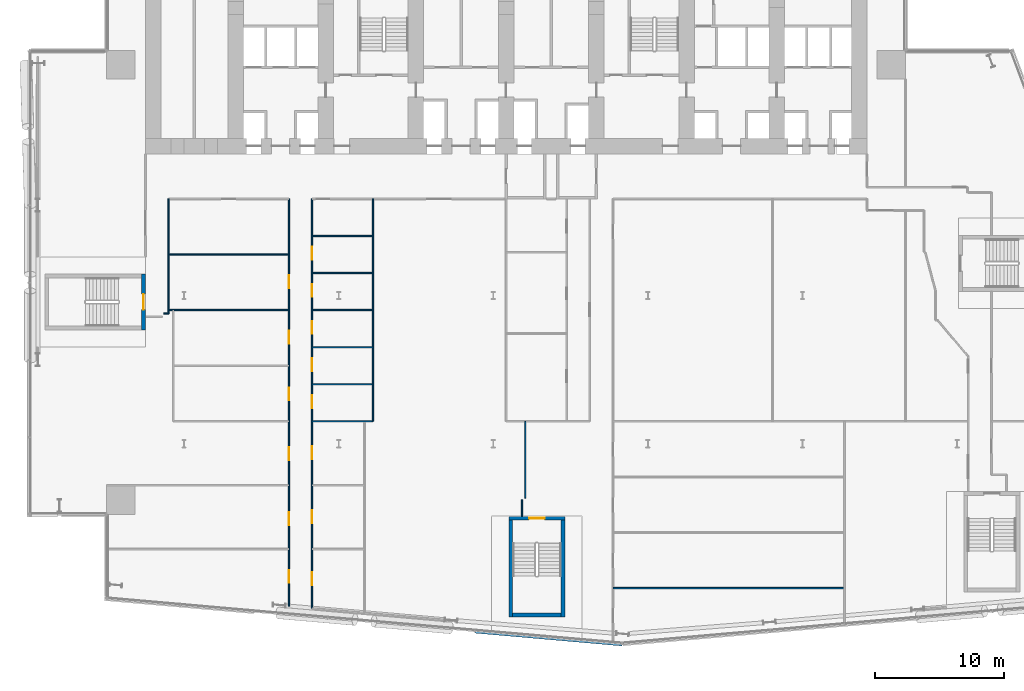
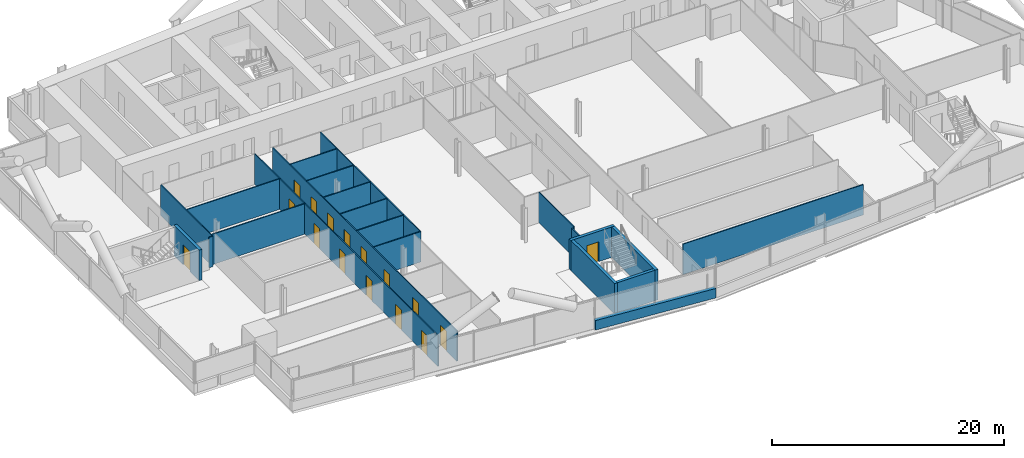
# One storey, part 13 of 27: 23 walls, 16 doors, 16 openings.
"""IFC4 building model written with IfcOpenShell, lengths in metres."""

import ifcopenshell
import ifcopenshell.guid

model = None  # the IFC model being written
_history = None  # IfcOwnerHistory: only IFC2X3 demands one
_inside = {}  # id of a spatial element -> (the spatial element, [elements in it])
_under = {}  # id of a project, library or spatial element -> (it, [spatial elements below it])
_declared = {}  # id of a project -> (the project, [libraries it declares])
_typed = {}  # id of a type object -> (the type object, [elements of that type])
_made_of = {}  # id of a material, layer set ... -> (it, [elements and type objects made of it])


def new_model(schema):
    """Start an empty IFC model of exactly this schema.

    Asked for "IFC4X3", IfcOpenShell would pick the latest addendum, in which some entities
    have other attributes; the version numbers below select the first issue.
    IFC2X3 requires an IfcOwnerHistory on every rooted entity: one is made here for all.
    """
    global model, _history
    if schema == "IFC4X3":
        model = ifcopenshell.file(schema_version=(4, 3, 0, 0))
    else:
        model = ifcopenshell.file(schema=schema)
    _inside.clear()
    _under.clear()
    _declared.clear()
    _typed.clear()
    _made_of.clear()
    _history = None
    if model.schema == "IFC2X3":
        org = make("IfcOrganization", Name="unknown")
        user = make(
            "IfcPersonAndOrganization",
            ThePerson=make("IfcPerson", FamilyName="unknown"),
            TheOrganization=org,
        )
        app = make(
            "IfcApplication",
            ApplicationDeveloper=org,
            Version="unknown",
            ApplicationFullName="unknown",
            ApplicationIdentifier="unknown",
        )
        _history = make(
            "IfcOwnerHistory",
            OwningUser=user,
            OwningApplication=app,
            ChangeAction="ADDED",
            CreationDate=0,
        )
    return model


def make(cls, **values):
    """One entity of the class cls with the attributes given. An attribute that is None is left unset."""
    return model.create_entity(
        cls, **{name: value for name, value in values.items() if value is not None}
    )


def rooted(cls, **values):
    """An entity with a GlobalId (a new one), such as an element, a storey or a relation."""
    return make(cls, GlobalId=ifcopenshell.guid.new(), OwnerHistory=_history, **values)


def si_unit(unit_type, name, prefix=None):
    """IfcSIUnit, for example si_unit("LENGTHUNIT", "METRE", prefix="MILLI")."""
    return make("IfcSIUnit", UnitType=unit_type, Prefix=prefix, Name=name)


def assignment(units):
    """IfcUnitAssignment: the units of a project."""
    return None if units is None else make("IfcUnitAssignment", Units=units)


def point(xyz):
    """IfcCartesianPoint."""
    return None if xyz is None else make("IfcCartesianPoint", Coordinates=xyz)


def direction(xyz):
    """IfcDirection."""
    return None if xyz is None else make("IfcDirection", DirectionRatios=xyz)


def frame(location, z_axis=None, x_axis=None):
    """IfcAxis2Placement3D, a coordinate frame: its origin and axes. An axis left out is left unset."""
    return make(
        "IfcAxis2Placement3D",
        Location=point(location),
        Axis=direction(z_axis),
        RefDirection=direction(x_axis),
    )


def frame_2d(location, x_axis=None):
    """IfcAxis2Placement2D, a coordinate frame in the plane: its origin and x axis."""
    return make(
        "IfcAxis2Placement2D", Location=point(location), RefDirection=direction(x_axis)
    )


def origin():
    """The frame at (0, 0, 0) with its axes left unset."""
    return frame((0.0, 0.0, 0.0))


def place(relative_to, where):
    """IfcLocalPlacement: puts the frame where relative to a parent placement (None: the world)."""
    return make(
        "IfcLocalPlacement", PlacementRelTo=relative_to, RelativePlacement=where
    )


def context(
    kind, dimensions, precision=None, world=None, true_north=None, identifier=None
):
    """IfcGeometricRepresentationContext, for example the 3D "Model" context."""
    return make(
        "IfcGeometricRepresentationContext",
        ContextIdentifier=identifier,
        ContextType=kind,
        CoordinateSpaceDimension=dimensions,
        Precision=precision,
        WorldCoordinateSystem=world,
        TrueNorth=true_north,
    )


def subcontext(parent, identifier, kind, view, scale=None):
    """IfcGeometricRepresentationSubContext, for example "Body" below "Model"."""
    return make(
        "IfcGeometricRepresentationSubContext",
        ContextIdentifier=identifier,
        ContextType=kind,
        ParentContext=parent,
        TargetScale=scale,
        TargetView=view,
    )


def project(units=None, contexts=None):
    """IfcProject with its units and contexts."""
    return rooted(
        "IfcProject",
        Name="project",
        RepresentationContexts=contexts,
        UnitsInContext=assignment(units),
    )


def spatial(cls, under=None, at=None, **own):
    """A site, building, storey or space (cls), placed at a placement, below another one or the project."""
    s = rooted(cls, ObjectPlacement=at, **own)
    if under is not None:
        _under.setdefault(under.id(), (under, []))[1].append(s)
    return s


def profile(cls, at=None, kind="AREA", **sizes):
    """A parametric profile (cls). Its sizes go by their IFC names, for example OverallWidth=200.0."""
    return make(cls, ProfileType=kind, Position=at, **sizes)


def rectangle(**sizes):
    """IfcRectangleProfileDef."""
    return profile("IfcRectangleProfileDef", **sizes)


def extrude(swept, where, along, depth):
    """IfcExtrudedAreaSolid: the profile swept, set in the frame where, extruded along a direction by depth."""
    return make(
        "IfcExtrudedAreaSolid",
        SweptArea=swept,
        Position=where,
        ExtrudedDirection=direction(along),
        Depth=depth,
    )


def shape(context_of_items, identifier, shape_type, items):
    """IfcShapeRepresentation: the items that make up one representation, for example the "Body"."""
    return make(
        "IfcShapeRepresentation",
        ContextOfItems=context_of_items,
        RepresentationIdentifier=identifier,
        RepresentationType=shape_type,
        Items=items,
    )


def material(Name=None, Category=None):
    """IfcMaterial."""
    return make("IfcMaterial", Name=Name, Category=Category)


def layer(
    of_material, thickness, ventilated=None, Name=None, Category=None, Priority=None
):
    """IfcMaterialLayer: one layer of a wall or slab, of a material (None: an air gap)."""
    return make(
        "IfcMaterialLayer",
        Material=of_material,
        LayerThickness=thickness,
        IsVentilated=ventilated,
        Name=Name,
        Category=Category,
        Priority=Priority,
    )


def layer_set(layers, Name=None):
    """IfcMaterialLayerSet."""
    return make("IfcMaterialLayerSet", MaterialLayers=layers, LayerSetName=Name)


def made_of(thing, what):
    """Note that an element or type object is made of a material, layer set ...; save() writes the relation."""
    if what is not None:
        _made_of.setdefault(what.id(), (what, []))[1].append(thing)
    return thing


def type_object(cls, material=None, **own):
    """A type object (cls), such as IfcWallType, which elements share."""
    return made_of(rooted(cls, **own), material)


def element(
    cls,
    number,
    at=None,
    inside=None,
    cuts=None,
    type_object=None,
    material=None,
    context=None,
    identifier="Body",
    shape_type=None,
    held_by="IfcProductDefinitionShape",
    body=None,
    shapes=None,
    **own,
):
    """One element of the class cls, such as IfcWall. Its Tag is "e" and its number.

    at: its placement. inside: the storey or other place that contains it. cuts: it is an
    opening in that element (IfcRelVoidsElement). A single representation is given by context,
    identifier, shape_type and body (its items); several are given by shapes. held_by: the class
    of the entity that holds the representations. save() writes the other relations.
    """
    e = rooted(cls, Tag="e%d" % number, ObjectPlacement=at, **own)
    if body is not None:
        shapes = [shape(context, identifier, shape_type, body)]
    if shapes is not None:
        e.Representation = make(held_by, Representations=shapes)
    if inside is not None:
        _inside.setdefault(inside.id(), (inside, []))[1].append(e)
    if cuts is not None:
        rooted(
            "IfcRelVoidsElement", RelatingBuildingElement=cuts, RelatedOpeningElement=e
        )
    if type_object is not None:
        _typed.setdefault(type_object.id(), (type_object, []))[1].append(e)
    return made_of(e, material)


def fill(opening, filler):
    """IfcRelFillsElement: the door or window that sits in an opening."""
    return rooted(
        "IfcRelFillsElement",
        RelatingOpeningElement=opening,
        RelatedBuildingElement=filler,
    )


def aggregate(whole, parts):
    """IfcRelAggregates: a whole, such as a stair, and the parts it consists of."""
    return rooted("IfcRelAggregates", RelatingObject=whole, RelatedObjects=parts)


def save(model, path):
    """Write the relations noted so far, then the file.

    IfcRelAggregates (storeys below a building ...), IfcRelContainedInSpatialStructure (elements
    in a storey), IfcRelDefinesByType, IfcRelAssociatesMaterial and IfcRelDeclares: one each for
    every whole, place, type object, material and project.
    """
    for whole, parts in _under.values():
        aggregate(whole, parts)
    for where, things in _inside.values():
        rooted(
            "IfcRelContainedInSpatialStructure",
            RelatedElements=things,
            RelatingStructure=where,
        )
    for kind, things in _typed.values():
        rooted("IfcRelDefinesByType", RelatedObjects=things, RelatingType=kind)
    for what, things in _made_of.values():
        rooted("IfcRelAssociatesMaterial", RelatedObjects=things, RelatingMaterial=what)
    for by, libraries in _declared.values():
        rooted("IfcRelDeclares", RelatingContext=by, RelatedDefinitions=libraries)
    model.write(path)


model = new_model("IFC4")

# Units and contexts
model_context = context("Model", 3, precision=1e-05, world=origin(), true_north=direction((0.0, 1.0)))
body_context = subcontext(model_context, "Body", "Model", "MODEL_VIEW")
ifc_project = project(units=[si_unit("LENGTHUNIT", "METRE"), si_unit("AREAUNIT", "SQUARE_METRE"), si_unit("VOLUMEUNIT", "CUBIC_METRE"), si_unit("PLANEANGLEUNIT", "RADIAN"), si_unit("MASSUNIT", "GRAM", prefix="KILO")], contexts=[model_context])

# Site, building, storey
site_placement = place(None, origin())
site = spatial("IfcSite", under=ifc_project, at=site_placement, CompositionType="ELEMENT")
building_placement = place(site_placement, origin())
building = spatial("IfcBuilding", under=site, at=building_placement, Name="Wharfspan Tower", CompositionType="ELEMENT")
storey_placement = place(building_placement, frame((0.0, 0.0, 81.100098)))
storey = spatial("IfcBuildingStorey", under=building, at=storey_placement, Name="L17", CompositionType="ELEMENT", Elevation=81.100098)

# Walls
ifc_material_1 = material(Name="Gypsum board on steel studs", Category="steel")
ifc_layer_1 = layer(ifc_material_1, 0.100098)
ifc_layer_set_1 = layer_set([ifc_layer_1], Name="Gypsum board on steel studs")
wall_type_1 = type_object("IfcWallType", Name="Compartment wall 100 EI 60", PredefinedType="PARTITIONING", material=ifc_layer_set_1)
wall_1_placement = place(storey_placement, frame((10.419922, 21.600098, 0.0), z_axis=(0.0, 0.0, 1.0), x_axis=(1.0, 0.0, 0.0)))
element("IfcWall", 1, at=wall_1_placement, inside=storey, type_object=wall_type_1, Name="Partition L17.w008", PredefinedType="PARTITIONING", context=body_context, shape_type="SweptSolid", body=[
    extrude(rectangle(XDim=0.380127, YDim=0.100098, at=frame_2d((0.189941, 0.0))), origin(), (0.0, 0.0, 1.0), 3.199951),
])
wall_2_placement = place(storey_placement, frame((10.800049, 21.600098, 0.0), z_axis=(0.0, 0.0, 1.0), x_axis=(0.0, 1.0, 0.0)))
element("IfcWall", 2, at=wall_2_placement, inside=storey, type_object=wall_type_1, Name="Partition L17.w009", PredefinedType="PARTITIONING", context=body_context, shape_type="SweptSolid", body=[
    extrude(rectangle(XDim=8.899902, YDim=0.100098, at=frame_2d((4.449951, 0.0))), origin(), (0.0, 0.0, 1.0), 3.199951),
])
for number, where, z_axis, x_axis, name in (
    (3, (10.800049, 21.870117, 0.0), (0.0, 0.0, 1.0), (1.0, 0.0, 0.0), "Partition L17.w010"),
    (4, (10.800049, 26.185059, 0.0), (0.0, 0.0, 1.0), (1.0, 0.0, 0.0), "Partition L17.w011"),
):
    element("IfcWall", number, at=place(storey_placement, frame(where, z_axis=z_axis, x_axis=x_axis)), inside=storey, type_object=wall_type_1, Name=name, PredefinedType="PARTITIONING", context=body_context, shape_type="SweptSolid", body=[
        extrude(rectangle(XDim=9.339844, YDim=0.100098, at=frame_2d((4.669922, 0.0))), origin(), (0.0, 0.0, 1.0), 3.199951),
    ])

# Wall, openings, doors
wall_3_placement = place(storey_placement, frame((20.139893, -1.129883, 0.0), z_axis=(0.0, 0.0, 1.0), x_axis=(0.0, 1.0, 0.0)))
wall_3 = element("IfcWall", 5, at=wall_3_placement, inside=storey, type_object=wall_type_1, Name="Partition L17.w016", PredefinedType="PARTITIONING", context=body_context, shape_type="SweptSolid", body=[
    extrude(rectangle(XDim=31.629883, YDim=0.100098, at=frame_2d((15.814941, 0.0))), origin(), (0.0, 0.0, 1.0), 3.199951),
])
opening_1_placement = place(wall_3_placement, frame((1.824951, 0.0, 0.0)))
opening_1 = element("IfcOpeningElement", 6, at=opening_1_placement, cuts=wall_3, Name="Opening A4-03", PredefinedType="OPENING", context=body_context, shape_type="SweptSolid", body=[
    extrude(rectangle(XDim=1.0, YDim=2.100098, at=frame_2d((0.5, 1.050049))), frame((0.0, 0.060059, 0.0), z_axis=(0.0, -1.0, 0.0), x_axis=(1.0, 0.0, 0.0)), (0.0, 0.0, 1.0), 0.120117),
])
opening_2_placement = place(wall_3_placement, frame((6.304932, 0.0, 0.0)))
opening_2 = element("IfcOpeningElement", 7, at=opening_2_placement, cuts=wall_3, Name="Opening A4-05", PredefinedType="OPENING", context=body_context, shape_type="SweptSolid", body=[
    extrude(rectangle(XDim=1.0, YDim=2.100098, at=frame_2d((0.5, 1.050049))), frame((0.0, 0.060059, 0.0), z_axis=(0.0, -1.0, 0.0), x_axis=(1.0, 0.0, 0.0)), (0.0, 0.0, 1.0), 0.120117),
])
opening_3_placement = place(wall_3_placement, frame((11.350098, 0.0, 0.0)))
opening_3 = element("IfcOpeningElement", 8, at=opening_3_placement, cuts=wall_3, Name="Opening A4-09", PredefinedType="OPENING", context=body_context, shape_type="SweptSolid", body=[
    extrude(rectangle(XDim=1.0, YDim=2.100098, at=frame_2d((0.5, 1.050049))), frame((0.0, 0.060059, 0.0), z_axis=(0.0, -1.0, 0.0), x_axis=(1.0, 0.0, 0.0)), (0.0, 0.0, 1.0), 0.120117),
])
opening_4_placement = place(wall_3_placement, frame((15.985107, 0.0, 0.0)))
opening_4 = element("IfcOpeningElement", 9, at=opening_4_placement, cuts=wall_3, Name="Opening A4-14", PredefinedType="OPENING", context=body_context, shape_type="SweptSolid", body=[
    extrude(rectangle(XDim=1.0, YDim=2.100098, at=frame_2d((0.5, 1.050049))), frame((0.0, 0.060059, 0.0), z_axis=(0.0, -1.0, 0.0), x_axis=(1.0, 0.0, 0.0)), (0.0, 0.0, 1.0), 0.120117),
])
opening_5_placement = place(wall_3_placement, frame((20.379883, 0.0, 0.0)))
opening_5 = element("IfcOpeningElement", 10, at=opening_5_placement, cuts=wall_3, Name="Opening A4-19", PredefinedType="OPENING", context=body_context, shape_type="SweptSolid", body=[
    extrude(rectangle(XDim=1.0, YDim=2.100098, at=frame_2d((0.5, 1.050049))), frame((0.0, 0.060059, 0.0), z_axis=(0.0, -1.0, 0.0), x_axis=(1.0, 0.0, 0.0)), (0.0, 0.0, 1.0), 0.120117),
])
opening_6_placement = place(wall_3_placement, frame((24.695068, 0.0, 0.0)))
opening_6 = element("IfcOpeningElement", 11, at=opening_6_placement, cuts=wall_3, Name="Opening A4-24", PredefinedType="OPENING", context=body_context, shape_type="SweptSolid", body=[
    extrude(rectangle(XDim=1.0, YDim=2.100098, at=frame_2d((0.5, 1.050049))), frame((0.0, 0.060059, 0.0), z_axis=(0.0, -1.0, 0.0), x_axis=(1.0, 0.0, 0.0)), (0.0, 0.0, 1.0), 0.120117),
])
ifc_material_2 = material(Name="Fire-rated timber door leaf in steel frame", Category="steel")
door_type_1 = type_object("IfcDoorType", Name="Door 1000 FD30S Left", OperationType="SINGLE_SWING_LEFT", PredefinedType="DOOR", material=ifc_material_2)
door_1_placement = place(opening_1_placement, origin())
door_1 = element("IfcDoor", 12, at=door_1_placement, inside=storey, type_object=door_type_1, Name="Door A4-03", OperationType="SINGLE_SWING_LEFT", OverallHeight=2.100098, OverallWidth=1.0, PredefinedType="DOOR", context=body_context, shape_type="SweptSolid", body=[
    extrude(rectangle(XDim=1.0, YDim=2.100098, at=frame_2d((0.5, 1.050049))), frame((0.0, 0.024902, 0.0), z_axis=(0.0, -1.0, 0.0), x_axis=(1.0, 0.0, 0.0)), (0.0, 0.0, 1.0), 0.050049),
])
fill(opening_1, door_1)
door_2_placement = place(opening_2_placement, origin())
door_2 = element("IfcDoor", 13, at=door_2_placement, inside=storey, type_object=door_type_1, Name="Door A4-05", OperationType="SINGLE_SWING_LEFT", OverallHeight=2.100098, OverallWidth=1.0, PredefinedType="DOOR", context=body_context, shape_type="SweptSolid", body=[
    extrude(rectangle(XDim=1.0, YDim=2.100098, at=frame_2d((0.5, 1.050049))), frame((0.0, 0.024902, 0.0), z_axis=(0.0, -1.0, 0.0), x_axis=(1.0, 0.0, 0.0)), (0.0, 0.0, 1.0), 0.050049),
])
fill(opening_2, door_2)
door_3_placement = place(opening_3_placement, origin())
door_3 = element("IfcDoor", 14, at=door_3_placement, inside=storey, type_object=door_type_1, Name="Door A4-09", OperationType="SINGLE_SWING_LEFT", OverallHeight=2.100098, OverallWidth=1.0, PredefinedType="DOOR", context=body_context, shape_type="SweptSolid", body=[
    extrude(rectangle(XDim=1.0, YDim=2.100098, at=frame_2d((0.5, 1.050049))), frame((0.0, 0.024902, 0.0), z_axis=(0.0, -1.0, 0.0), x_axis=(1.0, 0.0, 0.0)), (0.0, 0.0, 1.0), 0.050049),
])
fill(opening_3, door_3)
door_type_2 = type_object("IfcDoorType", Name="Door 1000 FD30S Right", OperationType="SINGLE_SWING_RIGHT", PredefinedType="DOOR", material=ifc_material_2)
door_4_placement = place(opening_4_placement, origin())
door_4 = element("IfcDoor", 15, at=door_4_placement, inside=storey, type_object=door_type_2, Name="Door A4-14", OperationType="SINGLE_SWING_RIGHT", OverallHeight=2.100098, OverallWidth=1.0, PredefinedType="DOOR", context=body_context, shape_type="SweptSolid", body=[
    extrude(rectangle(XDim=1.0, YDim=2.100098, at=frame_2d((0.5, 1.050049))), frame((0.0, 0.024902, 0.0), z_axis=(0.0, -1.0, 0.0), x_axis=(1.0, 0.0, 0.0)), (0.0, 0.0, 1.0), 0.050049),
])
fill(opening_4, door_4)
door_5_placement = place(opening_5_placement, origin())
door_5 = element("IfcDoor", 16, at=door_5_placement, inside=storey, type_object=door_type_2, Name="Door A4-19", OperationType="SINGLE_SWING_RIGHT", OverallHeight=2.100098, OverallWidth=1.0, PredefinedType="DOOR", context=body_context, shape_type="SweptSolid", body=[
    extrude(rectangle(XDim=1.0, YDim=2.100098, at=frame_2d((0.5, 1.050049))), frame((0.0, 0.024902, 0.0), z_axis=(0.0, -1.0, 0.0), x_axis=(1.0, 0.0, 0.0)), (0.0, 0.0, 1.0), 0.050049),
])
fill(opening_5, door_5)
door_6_placement = place(opening_6_placement, origin())
door_6 = element("IfcDoor", 17, at=door_6_placement, inside=storey, type_object=door_type_2, Name="Door A4-24", OperationType="SINGLE_SWING_RIGHT", OverallHeight=2.100098, OverallWidth=1.0, PredefinedType="DOOR", context=body_context, shape_type="SweptSolid", body=[
    extrude(rectangle(XDim=1.0, YDim=2.100098, at=frame_2d((0.5, 1.050049))), frame((0.0, 0.024902, 0.0), z_axis=(0.0, -1.0, 0.0), x_axis=(1.0, 0.0, 0.0)), (0.0, 0.0, 1.0), 0.050049),
])
fill(opening_6, door_6)

wall_4_placement = place(storey_placement, frame((21.939941, -1.290039, 0.0), z_axis=(0.0, 0.0, 1.0), x_axis=(0.0, 1.0, 0.0)))
wall_4 = element("IfcWall", 18, at=wall_4_placement, inside=storey, type_object=wall_type_1, Name="Partition L17.w017", PredefinedType="PARTITIONING", context=body_context, shape_type="SweptSolid", body=[
    extrude(rectangle(XDim=31.790039, YDim=0.100098, at=frame_2d((15.89502, 0.0))), origin(), (0.0, 0.0, 1.0), 3.199951),
])
opening_7_placement = place(wall_4_placement, frame((1.820068, 0.0, 0.0)))
opening_7 = element("IfcOpeningElement", 19, at=opening_7_placement, cuts=wall_4, Name="Opening A4-02", PredefinedType="OPENING", context=body_context, shape_type="SweptSolid", body=[
    extrude(rectangle(XDim=1.0, YDim=2.100098, at=frame_2d((0.5, 1.050049))), frame((0.0, 0.060059, 0.0), z_axis=(0.0, -1.0, 0.0), x_axis=(1.0, 0.0, 0.0)), (0.0, 0.0, 1.0), 0.120117),
])
opening_8_placement = place(wall_4_placement, frame((6.629883, 0.0, 0.0)))
opening_8 = element("IfcOpeningElement", 20, at=opening_8_placement, cuts=wall_4, Name="Opening A4-06", PredefinedType="OPENING", context=body_context, shape_type="SweptSolid", body=[
    extrude(rectangle(XDim=1.0, YDim=2.100098, at=frame_2d((0.5, 1.050049))), frame((0.0, 0.060059, 0.0), z_axis=(0.0, -1.0, 0.0), x_axis=(1.0, 0.0, 0.0)), (0.0, 0.0, 1.0), 0.120117),
])
opening_9_placement = place(wall_4_placement, frame((11.590088, 0.0, 0.0)))
opening_9 = element("IfcOpeningElement", 21, at=opening_9_placement, cuts=wall_4, Name="Opening A4-10", PredefinedType="OPENING", context=body_context, shape_type="SweptSolid", body=[
    extrude(rectangle(XDim=1.0, YDim=2.100098, at=frame_2d((0.5, 1.050049))), frame((0.0, 0.060059, 0.0), z_axis=(0.0, -1.0, 0.0), x_axis=(1.0, 0.0, 0.0)), (0.0, 0.0, 1.0), 0.120117),
])
opening_10_placement = place(wall_4_placement, frame((15.550049, 0.0, 0.0)))
opening_10 = element("IfcOpeningElement", 22, at=opening_10_placement, cuts=wall_4, Name="Opening A4-13", PredefinedType="OPENING", context=body_context, shape_type="SweptSolid", body=[
    extrude(rectangle(XDim=1.0, YDim=2.100098, at=frame_2d((0.5, 1.050049))), frame((0.0, 0.060059, 0.0), z_axis=(0.0, -1.0, 0.0), x_axis=(1.0, 0.0, 0.0)), (0.0, 0.0, 1.0), 0.120117),
])
opening_11_placement = place(wall_4_placement, frame((18.425049, 0.0, 0.0)))
opening_11 = element("IfcOpeningElement", 23, at=opening_11_placement, cuts=wall_4, Name="Opening A4-18", PredefinedType="OPENING", context=body_context, shape_type="SweptSolid", body=[
    extrude(rectangle(XDim=1.0, YDim=2.100098, at=frame_2d((0.5, 1.050049))), frame((0.0, 0.060059, 0.0), z_axis=(0.0, -1.0, 0.0), x_axis=(1.0, 0.0, 0.0)), (0.0, 0.0, 1.0), 0.120117),
])
opening_12_placement = place(wall_4_placement, frame((21.304932, 0.0, 0.0)))
opening_12 = element("IfcOpeningElement", 24, at=opening_12_placement, cuts=wall_4, Name="Opening A4-20", PredefinedType="OPENING", context=body_context, shape_type="SweptSolid", body=[
    extrude(rectangle(XDim=1.0, YDim=2.100098, at=frame_2d((0.5, 1.050049))), frame((0.0, 0.060059, 0.0), z_axis=(0.0, -1.0, 0.0), x_axis=(1.0, 0.0, 0.0)), (0.0, 0.0, 1.0), 0.120117),
])
opening_13_placement = place(wall_4_placement, frame((24.179932, 0.0, 0.0)))
opening_13 = element("IfcOpeningElement", 25, at=opening_13_placement, cuts=wall_4, Name="Opening A4-23", PredefinedType="OPENING", context=body_context, shape_type="SweptSolid", body=[
    extrude(rectangle(XDim=1.0, YDim=2.100098, at=frame_2d((0.5, 1.050049))), frame((0.0, 0.060059, 0.0), z_axis=(0.0, -1.0, 0.0), x_axis=(1.0, 0.0, 0.0)), (0.0, 0.0, 1.0), 0.120117),
])
opening_14_placement = place(wall_4_placement, frame((27.054932, 0.0, 0.0)))
opening_14 = element("IfcOpeningElement", 26, at=opening_14_placement, cuts=wall_4, Name="Opening A4-25", PredefinedType="OPENING", context=body_context, shape_type="SweptSolid", body=[
    extrude(rectangle(XDim=1.0, YDim=2.100098, at=frame_2d((0.5, 1.050049))), frame((0.0, 0.060059, 0.0), z_axis=(0.0, -1.0, 0.0), x_axis=(1.0, 0.0, 0.0)), (0.0, 0.0, 1.0), 0.120117),
])
door_7_placement = place(opening_7_placement, origin())
door_7 = element("IfcDoor", 27, at=door_7_placement, inside=storey, type_object=door_type_1, Name="Door A4-02", OperationType="SINGLE_SWING_LEFT", OverallHeight=2.100098, OverallWidth=1.0, PredefinedType="DOOR", context=body_context, shape_type="SweptSolid", body=[
    extrude(rectangle(XDim=1.0, YDim=2.100098, at=frame_2d((0.5, 1.050049))), frame((0.0, 0.024902, 0.0), z_axis=(0.0, -1.0, 0.0), x_axis=(1.0, 0.0, 0.0)), (0.0, 0.0, 1.0), 0.050049),
])
fill(opening_7, door_7)
door_8_placement = place(opening_8_placement, origin())
door_8 = element("IfcDoor", 28, at=door_8_placement, inside=storey, type_object=door_type_1, Name="Door A4-06", OperationType="SINGLE_SWING_LEFT", OverallHeight=2.100098, OverallWidth=1.0, PredefinedType="DOOR", context=body_context, shape_type="SweptSolid", body=[
    extrude(rectangle(XDim=1.0, YDim=2.100098, at=frame_2d((0.5, 1.050049))), frame((0.0, 0.024902, 0.0), z_axis=(0.0, -1.0, 0.0), x_axis=(1.0, 0.0, 0.0)), (0.0, 0.0, 1.0), 0.050049),
])
fill(opening_8, door_8)
door_9_placement = place(opening_9_placement, origin())
door_9 = element("IfcDoor", 29, at=door_9_placement, inside=storey, type_object=door_type_1, Name="Door A4-10", OperationType="SINGLE_SWING_LEFT", OverallHeight=2.100098, OverallWidth=1.0, PredefinedType="DOOR", context=body_context, shape_type="SweptSolid", body=[
    extrude(rectangle(XDim=1.0, YDim=2.100098, at=frame_2d((0.5, 1.050049))), frame((0.0, 0.024902, 0.0), z_axis=(0.0, -1.0, 0.0), x_axis=(1.0, 0.0, 0.0)), (0.0, 0.0, 1.0), 0.050049),
])
fill(opening_9, door_9)
door_10_placement = place(opening_10_placement, origin())
door_10 = element("IfcDoor", 30, at=door_10_placement, inside=storey, type_object=door_type_2, Name="Door A4-13", OperationType="SINGLE_SWING_RIGHT", OverallHeight=2.100098, OverallWidth=1.0, PredefinedType="DOOR", context=body_context, shape_type="SweptSolid", body=[
    extrude(rectangle(XDim=1.0, YDim=2.100098, at=frame_2d((0.5, 1.050049))), frame((0.0, 0.024902, 0.0), z_axis=(0.0, -1.0, 0.0), x_axis=(1.0, 0.0, 0.0)), (0.0, 0.0, 1.0), 0.050049),
])
fill(opening_10, door_10)
door_11_placement = place(opening_11_placement, origin())
door_11 = element("IfcDoor", 31, at=door_11_placement, inside=storey, type_object=door_type_2, Name="Door A4-18", OperationType="SINGLE_SWING_RIGHT", OverallHeight=2.100098, OverallWidth=1.0, PredefinedType="DOOR", context=body_context, shape_type="SweptSolid", body=[
    extrude(rectangle(XDim=1.0, YDim=2.100098, at=frame_2d((0.5, 1.050049))), frame((0.0, 0.024902, 0.0), z_axis=(0.0, -1.0, 0.0), x_axis=(1.0, 0.0, 0.0)), (0.0, 0.0, 1.0), 0.050049),
])
fill(opening_11, door_11)
door_12_placement = place(opening_12_placement, origin())
door_12 = element("IfcDoor", 32, at=door_12_placement, inside=storey, type_object=door_type_2, Name="Door A4-20", OperationType="SINGLE_SWING_RIGHT", OverallHeight=2.100098, OverallWidth=1.0, PredefinedType="DOOR", context=body_context, shape_type="SweptSolid", body=[
    extrude(rectangle(XDim=1.0, YDim=2.100098, at=frame_2d((0.5, 1.050049))), frame((0.0, 0.024902, 0.0), z_axis=(0.0, -1.0, 0.0), x_axis=(1.0, 0.0, 0.0)), (0.0, 0.0, 1.0), 0.050049),
])
fill(opening_12, door_12)
door_13_placement = place(opening_13_placement, origin())
door_13 = element("IfcDoor", 33, at=door_13_placement, inside=storey, type_object=door_type_2, Name="Door A4-23", OperationType="SINGLE_SWING_RIGHT", OverallHeight=2.100098, OverallWidth=1.0, PredefinedType="DOOR", context=body_context, shape_type="SweptSolid", body=[
    extrude(rectangle(XDim=1.0, YDim=2.100098, at=frame_2d((0.5, 1.050049))), frame((0.0, 0.024902, 0.0), z_axis=(0.0, -1.0, 0.0), x_axis=(1.0, 0.0, 0.0)), (0.0, 0.0, 1.0), 0.050049),
])
fill(opening_13, door_13)
door_14_placement = place(opening_14_placement, origin())
door_14 = element("IfcDoor", 34, at=door_14_placement, inside=storey, type_object=door_type_2, Name="Door A4-25", OperationType="SINGLE_SWING_RIGHT", OverallHeight=2.100098, OverallWidth=1.0, PredefinedType="DOOR", context=body_context, shape_type="SweptSolid", body=[
    extrude(rectangle(XDim=1.0, YDim=2.100098, at=frame_2d((0.5, 1.050049))), frame((0.0, 0.024902, 0.0), z_axis=(0.0, -1.0, 0.0), x_axis=(1.0, 0.0, 0.0)), (0.0, 0.0, 1.0), 0.050049),
])
fill(opening_14, door_14)

# Walls
for number, where, z_axis, x_axis, name in (
    (35, (21.939941, 13.23999, 0.0), (0.0, 0.0, 1.0), (1.0, 0.0, 0.0), "Partition L17.w020"),
    (36, (21.939941, 16.11499, 0.0), (0.0, 0.0, 1.0), (1.0, 0.0, 0.0), "Partition L17.w021"),
    (37, (21.939941, 18.98999, 0.0), (0.0, 0.0, 1.0), (1.0, 0.0, 0.0), "Partition L17.w022"),
    (38, (21.939941, 21.870117, 0.0), (0.0, 0.0, 1.0), (1.0, 0.0, 0.0), "Partition L17.w023"),
    (39, (21.939941, 24.745117, 0.0), (0.0, 0.0, 1.0), (1.0, 0.0, 0.0), "Partition L17.w024"),
    (40, (21.939941, 27.625, 0.0), (0.0, 0.0, 1.0), (1.0, 0.0, 0.0), "Partition L17.w025"),
):
    element("IfcWall", number, at=place(storey_placement, frame(where, z_axis=z_axis, x_axis=x_axis)), inside=storey, type_object=wall_type_1, Name=name, PredefinedType="PARTITIONING", context=body_context, shape_type="SweptSolid", body=[
        extrude(rectangle(XDim=4.725098, YDim=0.100098, at=frame_2d((2.362549, 0.0))), origin(), (0.0, 0.0, 1.0), 3.199951),
    ])
wall_5_placement = place(storey_placement, frame((26.669922, 16.11499, 0.0), z_axis=(0.0, 0.0, 1.0), x_axis=(0.0, 1.0, 0.0)))
element("IfcWall", 41, at=wall_5_placement, inside=storey, type_object=wall_type_1, Name="Partition L17.w030", PredefinedType="PARTITIONING", context=body_context, shape_type="SweptSolid", body=[
    extrude(rectangle(XDim=14.38501, YDim=0.100098, at=frame_2d((7.192383, 0.0))), origin(), (0.0, 0.0, 1.0), 3.199951),
])
wall_6_placement = place(storey_placement, frame((38.22998, 5.880615, 0.0), z_axis=(0.0, 0.0, 1.0), x_axis=(0.0, 1.0, 0.0)))
element("IfcWall", 42, at=wall_6_placement, inside=storey, type_object=wall_type_1, Name="Partition L17.w036", PredefinedType="PARTITIONING", context=body_context, shape_type="SweptSolid", body=[
    extrude(rectangle(XDim=1.279297, YDim=0.100098, at=frame_2d((0.639648, 0.0))), origin(), (0.0, 0.0, 1.0), 3.199951),
])
wall_7_placement = place(storey_placement, frame((38.47998, 7.280029, 0.0), z_axis=(0.0, 0.0, 1.0), x_axis=(0.0, 1.0, 0.0)))
element("IfcWall", 43, at=wall_7_placement, inside=storey, type_object=wall_type_1, Name="Partition L17.w037", PredefinedType="PARTITIONING", context=body_context, shape_type="SweptSolid", body=[
    extrude(rectangle(XDim=5.955078, YDim=0.100098, at=frame_2d((2.977539, 0.0))), origin(), (0.0, 0.0, 1.0), 3.199951),
])
wall_8_placement = place(storey_placement, frame((45.300049, 0.290039, 0.0), z_axis=(0.0, 0.0, 1.0), x_axis=(1.0, 0.0, 0.0)))
element("IfcWall", 44, at=wall_8_placement, inside=storey, type_object=wall_type_1, Name="Partition L17.w041", PredefinedType="PARTITIONING", context=body_context, shape_type="SweptSolid", body=[
    extrude(rectangle(XDim=17.949951, YDim=0.100098, at=frame_2d((8.975098, 0.0))), origin(), (0.0, 0.0, 1.0), 3.199951),
])
ifc_layer_2 = layer(ifc_material_1, 0.100098)
ifc_layer_set_2 = layer_set([ifc_layer_2], Name="Gypsum board on steel studs")
wall_type_2 = type_object("IfcWallType", Name="Partition 100", PredefinedType="PARTITIONING", material=ifc_layer_set_2)
wall_9_placement = place(storey_placement, frame((26.665039, 13.23999, 0.0), z_axis=(0.0, 0.0, 1.0), x_axis=(0.001698, 0.999995, 0.0)))
element("IfcWall", 45, at=wall_9_placement, inside=storey, type_object=wall_type_2, Name="Partition L17.w028", PredefinedType="PARTITIONING", context=body_context, shape_type="SweptSolid", body=[
    extrude(rectangle(XDim=2.875, YDim=0.100098, at=frame_2d((1.4375, 0.0))), origin(), (0.0, 0.0, 1.0), 3.199951),
])
ifc_material_3 = material(Name="Concrete C40/50", Category="concrete")
ifc_layer_3 = layer(ifc_material_3, 0.350098)
ifc_layer_set_3 = layer_set([ifc_layer_3], Name="Concrete C40/50")
wall_type_3 = type_object("IfcWallType", Name="SPANDREL EXPOSED CONCRETE 350", PredefinedType="SOLIDWALL", material=ifc_layer_set_3)
wall_10_placement = place(storey_placement, frame((34.60083, -3.032227, 0.0), z_axis=(0.0, 0.0, 1.0), x_axis=(0.996193, -0.087148, 0.0)))
element("IfcWall", 46, at=wall_10_placement, inside=storey, type_object=wall_type_3, Name="Spandrel upstand L17 S1 2", PredefinedType="SOLIDWALL", context=body_context, shape_type="SweptSolid", body=[
    extrude(rectangle(XDim=11.458008, YDim=0.350098, at=frame_2d((5.729004, 0.0))), origin(), (0.0, 0.0, 1.0), 1.0),
])

# Wall, opening, door
ifc_layer_4 = layer(ifc_material_3, 0.300049)
ifc_layer_set_4 = layer_set([ifc_layer_4], Name="Concrete C40/50")
wall_type_4 = type_object("IfcWallType", Name="Stair core wall 300", PredefinedType="SHEAR", material=ifc_layer_set_4)
wall_11_placement = place(storey_placement, frame((8.850098, 20.324951, 0.0), z_axis=(0.0, 0.0, 1.0), x_axis=(0.0, 1.0, 0.0)))
wall_11 = element("IfcWall", 47, at=wall_11_placement, inside=storey, type_object=wall_type_4, Name="ST3 stair enclosure wall L17", PredefinedType="SHEAR", context=body_context, shape_type="SweptSolid", body=[
    extrude(rectangle(XDim=4.350098, YDim=0.300049, at=frame_2d((2.175049, 0.0))), origin(), (0.0, 0.0, 1.0), 3.199951),
])
opening_15_placement = place(wall_11_placement, frame((1.574951, 0.0, 0.0)))
opening_15 = element("IfcOpeningElement", 48, at=opening_15_placement, cuts=wall_11, Name="Opening SD3.L17", PredefinedType="OPENING", context=body_context, shape_type="SweptSolid", body=[
    extrude(rectangle(XDim=1.199951, YDim=2.100098, at=frame_2d((0.600098, 1.050049))), frame((0.0, 0.159912, 0.0), z_axis=(0.0, -1.0, 0.0), x_axis=(1.0, 0.0, 0.0)), (0.0, 0.0, 1.0), 0.320068),
])
ifc_material_4 = material(Name="Steel door leaf", Category="steel")
door_type_3 = type_object("IfcDoorType", Name="Stair door 1200x2100", OperationType="SINGLE_SWING_LEFT", PredefinedType="DOOR", material=ifc_material_4)
door_15_placement = place(opening_15_placement, origin())
door_15 = element("IfcDoor", 49, at=door_15_placement, inside=storey, type_object=door_type_3, Name="sd:L17:ST3z1", OperationType="SINGLE_SWING_RIGHT", OverallHeight=2.100098, OverallWidth=1.199951, PredefinedType="DOOR", context=body_context, shape_type="SweptSolid", body=[
    extrude(rectangle(XDim=1.199951, YDim=2.100098, at=frame_2d((0.600098, 1.050049))), frame((0.0, 0.024902, 0.0), z_axis=(0.0, -1.0, 0.0), x_axis=(1.0, 0.0, 0.0)), (0.0, 0.0, 1.0), 0.050049),
])
fill(opening_15, door_15)

wall_12_placement = place(storey_placement, frame((37.208252, 5.710693, 0.0), z_axis=(0.0, 0.0, 1.0), x_axis=(1.0, 0.0, 0.0)))
wall_12 = element("IfcWall", 50, at=wall_12_placement, inside=storey, type_object=wall_type_4, Name="ST4 stair enclosure wall L17", PredefinedType="SHEAR", context=body_context, shape_type="SweptSolid", body=[
    extrude(rectangle(XDim=4.350098, YDim=0.300049, at=frame_2d((2.175049, 0.0))), origin(), (0.0, 0.0, 1.0), 3.199951),
])
opening_16_placement = place(wall_12_placement, frame((1.574951, 0.0, 0.0)))
opening_16 = element("IfcOpeningElement", 51, at=opening_16_placement, cuts=wall_12, Name="Opening SD4.L17", PredefinedType="OPENING", context=body_context, shape_type="SweptSolid", body=[
    extrude(rectangle(XDim=1.199951, YDim=2.100098, at=frame_2d((0.600098, 1.050049))), frame((0.0, 0.159912, 0.0), z_axis=(0.0, -1.0, 0.0), x_axis=(1.0, 0.0, 0.0)), (0.0, 0.0, 1.0), 0.320068),
])
door_16_placement = place(opening_16_placement, origin())
door_16 = element("IfcDoor", 52, at=door_16_placement, inside=storey, type_object=door_type_3, Name="sd:L17:ST4z1", OperationType="SINGLE_SWING_RIGHT", OverallHeight=2.100098, OverallWidth=1.199951, PredefinedType="DOOR", context=body_context, shape_type="SweptSolid", body=[
    extrude(rectangle(XDim=1.199951, YDim=2.100098, at=frame_2d((0.600098, 1.050049))), frame((0.0, 0.024902, 0.0), z_axis=(0.0, -1.0, 0.0), x_axis=(1.0, 0.0, 0.0)), (0.0, 0.0, 1.0), 0.050049),
])
fill(opening_16, door_16)

# Walls
for number, where, z_axis, x_axis, name in (
    (53, (37.358398, -1.939453, 0.0), (0.0, 0.0, 1.0), (0.0, 1.0, 0.0), "ST4 stair enclosure wall L17"),
    (54, (41.408203, -1.939453, 0.0), (0.0, 0.0, 1.0), (0.0, 1.0, 0.0), "ST4 stair enclosure wall L17"),
):
    element("IfcWall", number, at=place(storey_placement, frame(where, z_axis=z_axis, x_axis=x_axis)), inside=storey, type_object=wall_type_4, Name=name, PredefinedType="SHEAR", context=body_context, shape_type="SweptSolid", body=[
        extrude(rectangle(XDim=7.5, YDim=0.300049, at=frame_2d((3.75, 0.0))), origin(), (0.0, 0.0, 1.0), 3.199951),
    ])
wall_13_placement = place(storey_placement, frame((37.508301, -1.789307, 0.0), z_axis=(0.0, 0.0, 1.0), x_axis=(1.0, 0.0, 0.0)))
element("IfcWall", 55, at=wall_13_placement, inside=storey, type_object=wall_type_4, Name="ST4 stair enclosure wall L17", PredefinedType="SHEAR", context=body_context, shape_type="SweptSolid", body=[
    extrude(rectangle(XDim=3.75, YDim=0.300049, at=frame_2d((1.875, 0.0))), origin(), (0.0, 0.0, 1.0), 3.199951),
])

save(model, "model.ifc")
